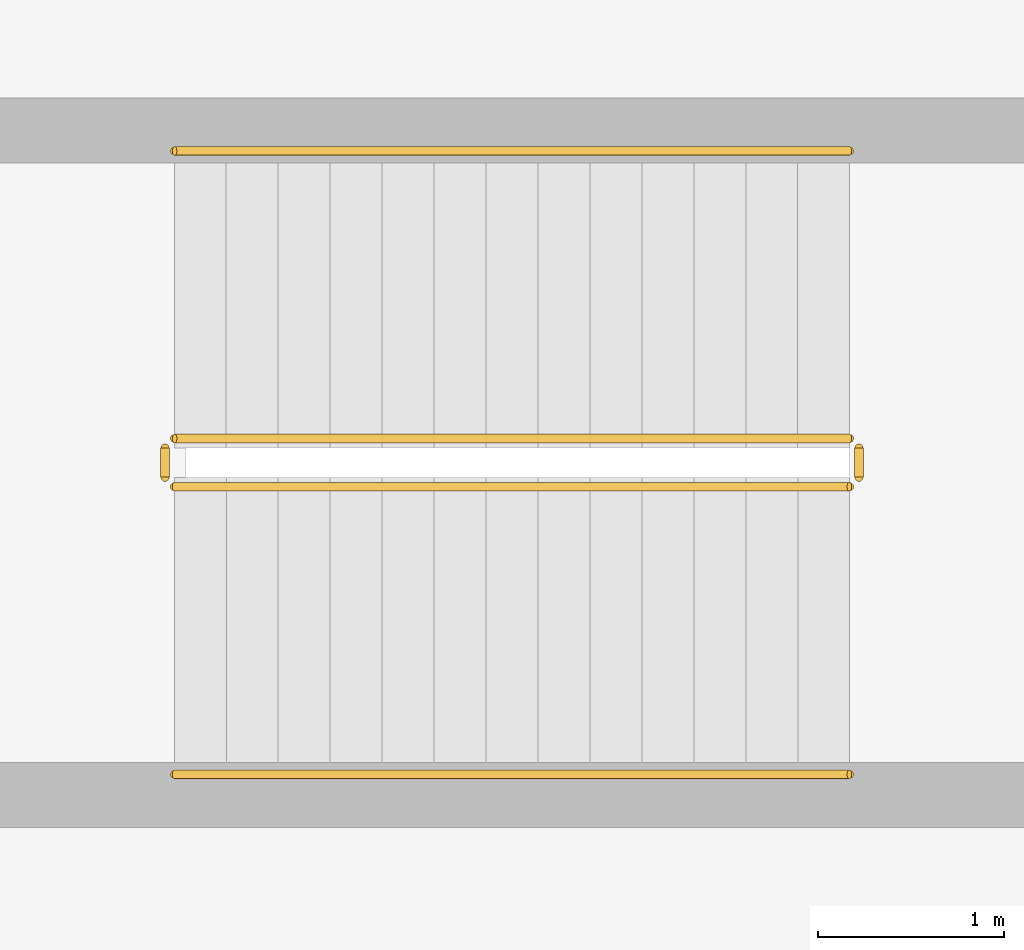
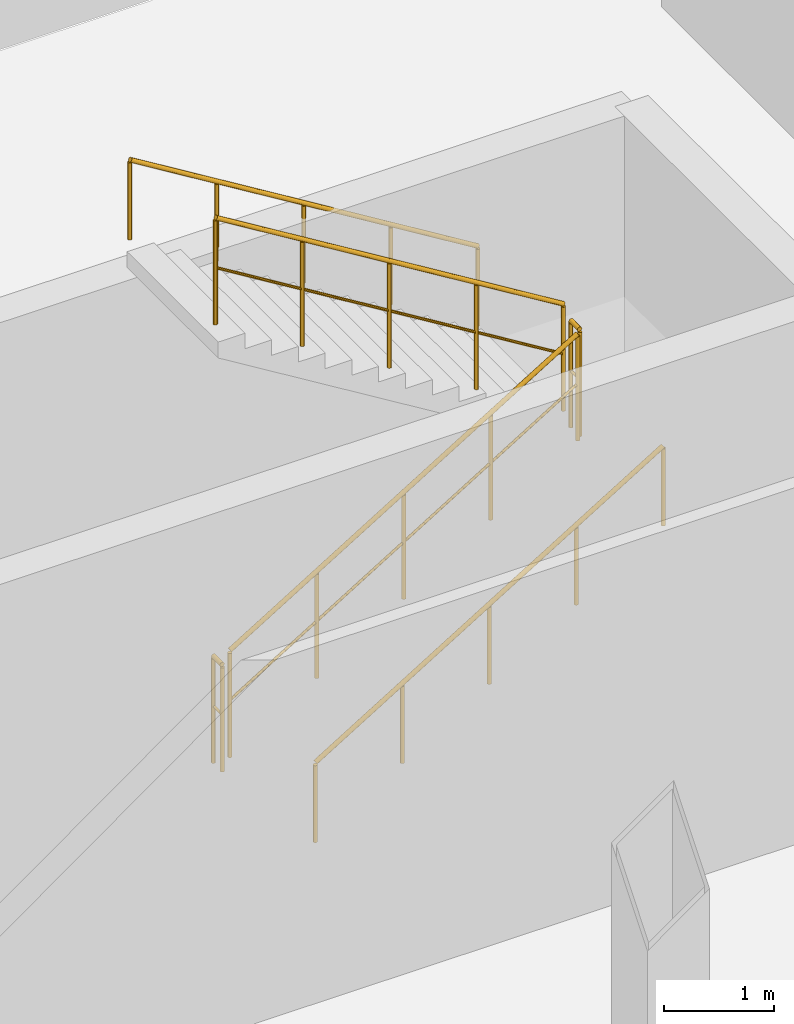
# One storey, part 22 of 22: 6 railings.
"""IFC4 building model written with IfcOpenShell, lengths in metres."""

import ifcopenshell
import ifcopenshell.guid

model = None  # the IFC model being written
_history = None  # IfcOwnerHistory: only IFC2X3 demands one
_inside = {}  # id of a spatial element -> (the spatial element, [elements in it])
_under = {}  # id of a project, library or spatial element -> (it, [spatial elements below it])
_declared = {}  # id of a project -> (the project, [libraries it declares])
_typed = {}  # id of a type object -> (the type object, [elements of that type])
_made_of = {}  # id of a material, layer set ... -> (it, [elements and type objects made of it])


def new_model(schema):
    """Start an empty IFC model of exactly this schema.

    Asked for "IFC4X3", IfcOpenShell would pick the latest addendum, in which some entities
    have other attributes; the version numbers below select the first issue.
    IFC2X3 requires an IfcOwnerHistory on every rooted entity: one is made here for all.
    """
    global model, _history
    if schema == "IFC4X3":
        model = ifcopenshell.file(schema_version=(4, 3, 0, 0))
    else:
        model = ifcopenshell.file(schema=schema)
    _inside.clear()
    _under.clear()
    _declared.clear()
    _typed.clear()
    _made_of.clear()
    _history = None
    if model.schema == "IFC2X3":
        org = make("IfcOrganization", Name="unknown")
        user = make(
            "IfcPersonAndOrganization",
            ThePerson=make("IfcPerson", FamilyName="unknown"),
            TheOrganization=org,
        )
        app = make(
            "IfcApplication",
            ApplicationDeveloper=org,
            Version="unknown",
            ApplicationFullName="unknown",
            ApplicationIdentifier="unknown",
        )
        _history = make(
            "IfcOwnerHistory",
            OwningUser=user,
            OwningApplication=app,
            ChangeAction="ADDED",
            CreationDate=0,
        )
    return model


def make(cls, **values):
    """One entity of the class cls with the attributes given. An attribute that is None is left unset."""
    return model.create_entity(
        cls, **{name: value for name, value in values.items() if value is not None}
    )


def rooted(cls, **values):
    """An entity with a GlobalId (a new one), such as an element, a storey or a relation."""
    return make(cls, GlobalId=ifcopenshell.guid.new(), OwnerHistory=_history, **values)


def si_unit(unit_type, name, prefix=None):
    """IfcSIUnit, for example si_unit("LENGTHUNIT", "METRE", prefix="MILLI")."""
    return make("IfcSIUnit", UnitType=unit_type, Prefix=prefix, Name=name)


def assignment(units):
    """IfcUnitAssignment: the units of a project."""
    return None if units is None else make("IfcUnitAssignment", Units=units)


def point(xyz):
    """IfcCartesianPoint."""
    return None if xyz is None else make("IfcCartesianPoint", Coordinates=xyz)


def direction(xyz):
    """IfcDirection."""
    return None if xyz is None else make("IfcDirection", DirectionRatios=xyz)


def frame(location, z_axis=None, x_axis=None):
    """IfcAxis2Placement3D, a coordinate frame: its origin and axes. An axis left out is left unset."""
    return make(
        "IfcAxis2Placement3D",
        Location=point(location),
        Axis=direction(z_axis),
        RefDirection=direction(x_axis),
    )


def frame_2d(location, x_axis=None):
    """IfcAxis2Placement2D, a coordinate frame in the plane: its origin and x axis."""
    return make(
        "IfcAxis2Placement2D", Location=point(location), RefDirection=direction(x_axis)
    )


def origin():
    """The frame at (0, 0, 0) with its axes left unset."""
    return frame((0.0, 0.0, 0.0))


def origin_2d():
    """The frame at (0, 0) in the plane with its x axis left unset."""
    return frame_2d((0.0, 0.0))


def place(relative_to, where):
    """IfcLocalPlacement: puts the frame where relative to a parent placement (None: the world)."""
    return make(
        "IfcLocalPlacement", PlacementRelTo=relative_to, RelativePlacement=where
    )


def context(
    kind, dimensions, precision=None, world=None, true_north=None, identifier=None
):
    """IfcGeometricRepresentationContext, for example the 3D "Model" context."""
    return make(
        "IfcGeometricRepresentationContext",
        ContextIdentifier=identifier,
        ContextType=kind,
        CoordinateSpaceDimension=dimensions,
        Precision=precision,
        WorldCoordinateSystem=world,
        TrueNorth=true_north,
    )


def subcontext(parent, identifier, kind, view, scale=None):
    """IfcGeometricRepresentationSubContext, for example "Body" below "Model"."""
    return make(
        "IfcGeometricRepresentationSubContext",
        ContextIdentifier=identifier,
        ContextType=kind,
        ParentContext=parent,
        TargetScale=scale,
        TargetView=view,
    )


def project(units=None, contexts=None):
    """IfcProject with its units and contexts."""
    return rooted(
        "IfcProject",
        Name="project",
        RepresentationContexts=contexts,
        UnitsInContext=assignment(units),
    )


def spatial(cls, under=None, at=None, **own):
    """A site, building, storey or space (cls), placed at a placement, below another one or the project."""
    s = rooted(cls, ObjectPlacement=at, **own)
    if under is not None:
        _under.setdefault(under.id(), (under, []))[1].append(s)
    return s


def profile(cls, at=None, kind="AREA", **sizes):
    """A parametric profile (cls). Its sizes go by their IFC names, for example OverallWidth=200.0."""
    return make(cls, ProfileType=kind, Position=at, **sizes)


def circle(**sizes):
    """IfcCircleProfileDef."""
    return profile("IfcCircleProfileDef", **sizes)


def extrude(swept, where, along, depth):
    """IfcExtrudedAreaSolid: the profile swept, set in the frame where, extruded along a direction by depth."""
    return make(
        "IfcExtrudedAreaSolid",
        SweptArea=swept,
        Position=where,
        ExtrudedDirection=direction(along),
        Depth=depth,
    )


def shape(context_of_items, identifier, shape_type, items):
    """IfcShapeRepresentation: the items that make up one representation, for example the "Body"."""
    return make(
        "IfcShapeRepresentation",
        ContextOfItems=context_of_items,
        RepresentationIdentifier=identifier,
        RepresentationType=shape_type,
        Items=items,
    )


def material(Name=None, Category=None):
    """IfcMaterial."""
    return make("IfcMaterial", Name=Name, Category=Category)


def made_of(thing, what):
    """Note that an element or type object is made of a material, layer set ...; save() writes the relation."""
    if what is not None:
        _made_of.setdefault(what.id(), (what, []))[1].append(thing)
    return thing


def type_object(cls, material=None, **own):
    """A type object (cls), such as IfcWallType, which elements share."""
    return made_of(rooted(cls, **own), material)


def element(
    cls,
    number,
    at=None,
    inside=None,
    cuts=None,
    type_object=None,
    material=None,
    context=None,
    identifier="Body",
    shape_type=None,
    held_by="IfcProductDefinitionShape",
    body=None,
    shapes=None,
    **own,
):
    """One element of the class cls, such as IfcWall. Its Tag is "e" and its number.

    at: its placement. inside: the storey or other place that contains it. cuts: it is an
    opening in that element (IfcRelVoidsElement). A single representation is given by context,
    identifier, shape_type and body (its items); several are given by shapes. held_by: the class
    of the entity that holds the representations. save() writes the other relations.
    """
    e = rooted(cls, Tag="e%d" % number, ObjectPlacement=at, **own)
    if body is not None:
        shapes = [shape(context, identifier, shape_type, body)]
    if shapes is not None:
        e.Representation = make(held_by, Representations=shapes)
    if inside is not None:
        _inside.setdefault(inside.id(), (inside, []))[1].append(e)
    if cuts is not None:
        rooted(
            "IfcRelVoidsElement", RelatingBuildingElement=cuts, RelatedOpeningElement=e
        )
    if type_object is not None:
        _typed.setdefault(type_object.id(), (type_object, []))[1].append(e)
    return made_of(e, material)


def aggregate(whole, parts):
    """IfcRelAggregates: a whole, such as a stair, and the parts it consists of."""
    return rooted("IfcRelAggregates", RelatingObject=whole, RelatedObjects=parts)


def save(model, path):
    """Write the relations noted so far, then the file.

    IfcRelAggregates (storeys below a building ...), IfcRelContainedInSpatialStructure (elements
    in a storey), IfcRelDefinesByType, IfcRelAssociatesMaterial and IfcRelDeclares: one each for
    every whole, place, type object, material and project.
    """
    for whole, parts in _under.values():
        aggregate(whole, parts)
    for where, things in _inside.values():
        rooted(
            "IfcRelContainedInSpatialStructure",
            RelatedElements=things,
            RelatingStructure=where,
        )
    for kind, things in _typed.values():
        rooted("IfcRelDefinesByType", RelatedObjects=things, RelatingType=kind)
    for what, things in _made_of.values():
        rooted("IfcRelAssociatesMaterial", RelatedObjects=things, RelatingMaterial=what)
    for by, libraries in _declared.values():
        rooted("IfcRelDeclares", RelatingContext=by, RelatedDefinitions=libraries)
    model.write(path)


model = new_model("IFC4")

# Units and contexts
model_context = context("Model", 3, precision=1e-05, world=origin(), true_north=direction((0.0, 1.0)))
body_context = subcontext(model_context, "Body", "Model", "MODEL_VIEW")
ifc_project = project(units=[si_unit("LENGTHUNIT", "METRE"), si_unit("AREAUNIT", "SQUARE_METRE"), si_unit("VOLUMEUNIT", "CUBIC_METRE"), si_unit("PLANEANGLEUNIT", "RADIAN"), si_unit("MASSUNIT", "GRAM", prefix="KILO")], contexts=[model_context])

# Site, building, storey
site_placement = place(None, origin())
site = spatial("IfcSite", under=ifc_project, at=site_placement, CompositionType="ELEMENT")
building_placement = place(site_placement, origin())
building = spatial("IfcBuilding", under=site, at=building_placement, Name="Sahyath Konkavel Grand Hotel", CompositionType="ELEMENT")
storey_placement = place(building_placement, frame((0.0, 0.0, 9.300048828125)))
storey = spatial("IfcBuildingStorey", under=building, at=storey_placement, Name="L02", CompositionType="ELEMENT", Elevation=9.300048828125)

# Railings
ifc_material_1 = material(Name="Steel E350", Category="steel")
railing_type_1 = type_object("IfcRailingType", Name="RLG-STAIR-GRD", PredefinedType="GUARDRAIL", material=ifc_material_1)
railing_1_placement = place(storey_placement, frame((21.2900390625, 12.179931640625, 0.17138671875)))
element("IfcRailing", 1, at=railing_1_placement, inside=storey, type_object=railing_type_1, Name="L02 ST-P2 stair guard 1", PredefinedType="GUARDRAIL", context=body_context, shape_type="SweptSolid", body=[
    extrude(circle(Radius=0.02392578125, at=origin_2d()), frame((0.001708984375, 0.0, 1.177001953125), z_axis=(0.852850264322, 0.0, 0.5221555579), x_axis=(0.0, 1.0, 0.0)), (0.0, 0.0, 1.0), 4.263916015625),
    extrude(circle(Radius=0.01416015625, at=origin_2d()), frame((0.001708984375, 0.0, 0.625), z_axis=(0.852850264322, 0.0, 0.5221555579), x_axis=(0.0, 1.0, 0.0)), (0.0, 0.0, 1.0), 4.263916015625),
    extrude(circle(Radius=0.02099609375, at=origin_2d()), origin(), (0.0, 0.0, 1.0), 1.15185546875),
    extrude(circle(Radius=0.02099609375, at=origin_2d()), frame((0.909912109375, 0.0, 0.55712890625)), (0.0, 0.0, 1.0), 1.15185546875),
    extrude(circle(Radius=0.02099609375, at=origin_2d()), frame((1.81982421875, 0.0, 1.1142578125)), (0.0, 0.0, 1.0), 1.15185546875),
    extrude(circle(Radius=0.02099609375, at=origin_2d()), frame((2.72998046875, 0.0, 1.67138671875)), (0.0, 0.0, 1.0), 1.15185546875),
    extrude(circle(Radius=0.02099609375, at=origin_2d()), frame((3.639892578125, 0.0, 2.228515625)), (0.0, 0.0, 1.0), 1.15185546875),
])
railing_2_placement = place(storey_placement, frame((24.97998046875, 12.22998046875, 2.39990234375)))
element("IfcRailing", 2, at=railing_2_placement, inside=storey, type_object=railing_type_1, Name="L02 ST-P2 stair guard 2", PredefinedType="GUARDRAIL", context=body_context, shape_type="SweptSolid", body=[
    extrude(circle(Radius=0.02392578125, at=origin_2d()), frame((0.0, 0.001953125, 1.17578125), z_axis=(0.0, 1.0, 0.0), x_axis=(-1.0, 0.0, 0.0)), (0.0, 0.0, 1.0), 0.156005859375),
    extrude(circle(Radius=0.01416015625, at=origin_2d()), frame((0.0, 0.001953125, 0.6240234375), z_axis=(0.0, 1.0, 0.0), x_axis=(-1.0, 0.0, 0.0)), (0.0, 0.0, 1.0), 0.156005859375),
    extrude(circle(Radius=0.02099609375, at=origin_2d()), origin(), (0.0, 0.0, 1.0), 1.15185546875),
    extrude(circle(Radius=0.02099609375, at=origin_2d()), frame((0.0, 0.159912109375, 0.0)), (0.0, 0.0, 1.0), 1.15185546875),
])
railing_3_placement = place(storey_placement, frame((24.929931640625, 12.43994140625, 2.5712890625)))
element("IfcRailing", 3, at=railing_3_placement, inside=storey, type_object=railing_type_1, Name="L02 ST-P2 stair guard 3", PredefinedType="GUARDRAIL", context=body_context, shape_type="SweptSolid", body=[
    extrude(circle(Radius=0.02392578125, at=origin_2d()), frame((-0.001708984375, 0.0, 1.177001953125), z_axis=(-0.852824790078, 0.0, 0.522197163366), x_axis=(0.0, -1.0, 0.0)), (0.0, 0.0, 1.0), 4.26416015625),
    extrude(circle(Radius=0.01416015625, at=origin_2d()), frame((-0.001708984375, 0.0, 0.625), z_axis=(-0.852824790078, 0.0, 0.522197163366), x_axis=(0.0, -1.0, 0.0)), (0.0, 0.0, 1.0), 4.26416015625),
    extrude(circle(Radius=0.02099609375, at=origin_2d()), origin(), (0.0, 0.0, 1.0), 1.15185546875),
    extrude(circle(Radius=0.02099609375, at=origin_2d()), frame((-0.909912109375, 0.0, 0.55712890625)), (0.0, 0.0, 1.0), 1.15185546875),
    extrude(circle(Radius=0.02099609375, at=origin_2d()), frame((-1.81982421875, 0.0, 1.1142578125)), (0.0, 0.0, 1.0), 1.15185546875),
    extrude(circle(Radius=0.02099609375, at=origin_2d()), frame((-2.72998046875, 0.0, 1.671630859375)), (0.0, 0.0, 1.0), 1.15185546875),
    extrude(circle(Radius=0.02099609375, at=origin_2d()), frame((-3.639892578125, 0.0, 2.228759765625)), (0.0, 0.0, 1.0), 1.15185546875),
])
railing_4_placement = place(storey_placement, frame((21.239990234375, 12.22998046875, 0.0)))
element("IfcRailing", 4, at=railing_4_placement, inside=storey, type_object=railing_type_1, Name="L02 ST-P2 stair guard 4", PredefinedType="GUARDRAIL", context=body_context, shape_type="SweptSolid", body=[
    extrude(circle(Radius=0.02392578125, at=origin_2d()), frame((0.0, 0.001953125, 1.17578125), z_axis=(0.0, 1.0, 0.0), x_axis=(-1.0, 0.0, 0.0)), (0.0, 0.0, 1.0), 0.156005859375),
    extrude(circle(Radius=0.01416015625, at=origin_2d()), frame((0.0, 0.001953125, 0.6240234375), z_axis=(0.0, 1.0, 0.0), x_axis=(-1.0, 0.0, 0.0)), (0.0, 0.0, 1.0), 0.156005859375),
    extrude(circle(Radius=0.02099609375, at=origin_2d()), origin(), (0.0, 0.0, 1.0), 1.15185546875),
    extrude(circle(Radius=0.02099609375, at=origin_2d()), frame((0.0, 0.159912109375, 0.0)), (0.0, 0.0, 1.0), 1.15185546875),
])
ifc_material_2 = material(Name="Anodised Bronze Aluminium", Category="aluminium")
railing_type_2 = type_object("IfcRailingType", Name="RLG-STAIR-HND", PredefinedType="HANDRAIL", material=ifc_material_2)
railing_5_placement = place(storey_placement, frame((21.2900390625, 10.6298828125, 0.17138671875)))
element("IfcRailing", 5, at=railing_5_placement, inside=storey, type_object=railing_type_2, Name="L02 ST-P2 stair handrail 1", PredefinedType="HANDRAIL", context=body_context, shape_type="SweptSolid", body=[
    extrude(circle(Radius=0.02392578125, at=origin_2d()), frame((0.001708984375, 0.0, 0.876953125), z_axis=(0.852850264322, 0.0, 0.5221555579), x_axis=(0.0, 1.0, 0.0)), (0.0, 0.0, 1.0), 4.263916015625),
    extrude(circle(Radius=0.02099609375, at=origin_2d()), origin(), (0.0, 0.0, 1.0), 0.851806640625),
    extrude(circle(Radius=0.02099609375, at=origin_2d()), frame((0.909912109375, 0.0, 0.55712890625)), (0.0, 0.0, 1.0), 0.851806640625),
    extrude(circle(Radius=0.02099609375, at=origin_2d()), frame((1.81982421875, 0.0, 1.1142578125)), (0.0, 0.0, 1.0), 0.851806640625),
    extrude(circle(Radius=0.02099609375, at=origin_2d()), frame((2.72998046875, 0.0, 1.67138671875)), (0.0, 0.0, 1.0), 0.851806640625),
    extrude(circle(Radius=0.02099609375, at=origin_2d()), frame((3.639892578125, 0.0, 2.228515625)), (0.0, 0.0, 1.0), 0.851806640625),
])
railing_6_placement = place(storey_placement, frame((24.929931640625, 13.989990234375, 2.5712890625)))
element("IfcRailing", 6, at=railing_6_placement, inside=storey, type_object=railing_type_2, Name="L02 ST-P2 stair handrail 2", PredefinedType="HANDRAIL", context=body_context, shape_type="SweptSolid", body=[
    extrude(circle(Radius=0.02392578125, at=origin_2d()), frame((-0.001708984375, 0.0, 0.876953125), z_axis=(-0.852824790078, 0.0, 0.522197163366), x_axis=(0.0, -1.0, 0.0)), (0.0, 0.0, 1.0), 4.26416015625),
    extrude(circle(Radius=0.02099609375, at=origin_2d()), origin(), (0.0, 0.0, 1.0), 0.851806640625),
    extrude(circle(Radius=0.02099609375, at=origin_2d()), frame((-0.909912109375, 0.0, 0.55712890625)), (0.0, 0.0, 1.0), 0.851806640625),
    extrude(circle(Radius=0.02099609375, at=origin_2d()), frame((-1.81982421875, 0.0, 1.1142578125)), (0.0, 0.0, 1.0), 0.851806640625),
    extrude(circle(Radius=0.02099609375, at=origin_2d()), frame((-2.72998046875, 0.0, 1.671630859375)), (0.0, 0.0, 1.0), 0.851806640625),
    extrude(circle(Radius=0.02099609375, at=origin_2d()), frame((-3.639892578125, 0.0, 2.228759765625)), (0.0, 0.0, 1.0), 0.851806640625),
])

save(model, "model.ifc")
